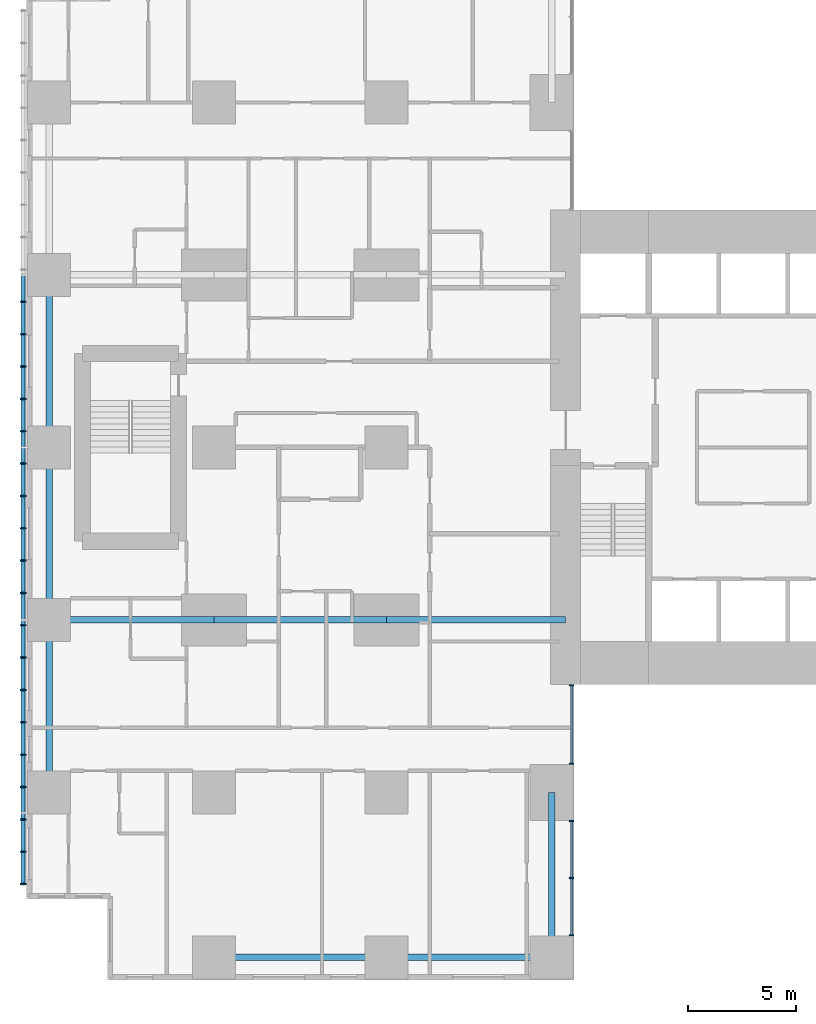
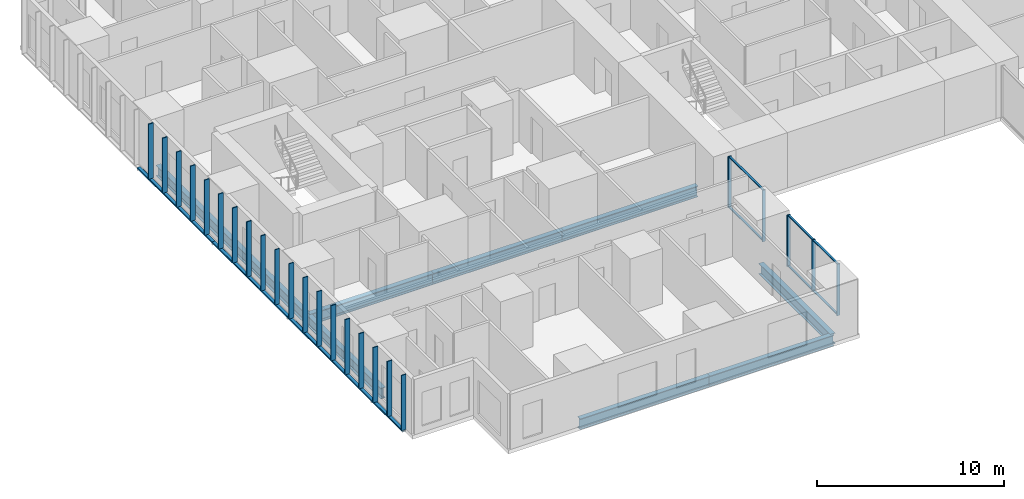
# One storey, part 2 of 20: 33 members, 9 beams, 2 elements without a shape of their own.
"""IFC4 building model written with IfcOpenShell, lengths in metres."""

from ifc_helpers import new_model, si_unit, direction, frame, origin, origin_2d, place, context, subcontext, project, spatial, rectangle, hollow_rectangle, i_section, extrude, material, layer, layer_set, material_profile, profile_set, type_object, element, aggregate, save


model = new_model("IFC4")

# Units and contexts
model_context = context("Model", 3, precision=1e-05, world=origin(), true_north=direction((0.0, 1.0)))
body_context = subcontext(model_context, "Body", "Model", "MODEL_VIEW")
ifc_project = project(units=[si_unit("LENGTHUNIT", "METRE"), si_unit("AREAUNIT", "SQUARE_METRE"), si_unit("VOLUMEUNIT", "CUBIC_METRE"), si_unit("PLANEANGLEUNIT", "RADIAN"), si_unit("MASSUNIT", "GRAM", prefix="KILO")], contexts=[model_context])

# Site, building, storey
site_placement = place(None, origin())
site = spatial("IfcSite", under=ifc_project, at=site_placement, CompositionType="ELEMENT")
building_placement = place(site_placement, origin())
building = spatial("IfcBuilding", under=site, at=building_placement, Name="Cleftline Residences", CompositionType="ELEMENT")
storey_placement = place(building_placement, frame((0.0, 0.0, 146.60009765625)))
storey = spatial("IfcBuildingStorey", under=building, at=storey_placement, Name="L38", CompositionType="ELEMENT", Elevation=146.60009765625)

# Members
ifc_material_1 = material(Name="Steel S355, hot-dip galvanised", Category="steel")
ifc_material_profile_1 = material_profile(ifc_material_1, hollow_rectangle(XDim=0.10009765625, YDim=0.199951171875, WallThickness=0.008056640625, InnerFilletRadius=0.008056640625, OuterFilletRadius=0.011962890625, at=origin_2d()))
ifc_profile_set_1 = profile_set([ifc_material_profile_1], Name="Steel S355, hot-dip galvanised")
member_type_1 = type_object("IfcMemberType", Name="BAGUETTE CARRIER RHS 200X100X8", PredefinedType="USERDEFINED", material=ifc_profile_set_1)
for number, where, z_axis, x_axis, name in (
    (1, (-0.85009765625, 32.0, -0.050048828125), (0.0, -1.0, 0.0), (0.0, 0.0, 1.0), "Baguette carrier"),
    (2, (-0.85009765625, 24.0, -0.050048828125), (0.0, -1.0, 0.0), (0.0, 0.0, 1.0), "Baguette carrier"),
):
    element("IfcMember", number, at=place(storey_placement, frame(where, z_axis=z_axis, x_axis=x_axis)), inside=storey, type_object=member_type_1, Name=name, ObjectType="BAGUETTE CARRIER", PredefinedType="USERDEFINED", context=body_context, shape_type="SweptSolid", body=[
        extrude(hollow_rectangle(XDim=0.10009765625, YDim=0.199951171875, WallThickness=0.008056640625, InnerFilletRadius=0.008056640625, OuterFilletRadius=0.011962890625, at=origin_2d()), origin(), (0.0, 0.0, 1.0), 8.0),
    ])
member_1_placement = place(storey_placement, frame((-0.85009765625, 16.0, -0.050048828125), z_axis=(0.0, -1.0, 0.0), x_axis=(0.0, 0.0, 1.0)))
element("IfcMember", 3, at=member_1_placement, inside=storey, type_object=member_type_1, Name="Baguette carrier", ObjectType="BAGUETTE CARRIER", PredefinedType="USERDEFINED", context=body_context, shape_type="SweptSolid", body=[
    extrude(hollow_rectangle(XDim=0.10009765625, YDim=0.199951171875, WallThickness=0.008056640625, InnerFilletRadius=0.008056640625, OuterFilletRadius=0.011962890625, at=origin_2d()), origin(), (0.0, 0.0, 1.0), 12.300048828125),
])

# Beams
ifc_material_2 = material(Name="Steel S355", Category="steel")
ifc_material_profile_2 = material_profile(ifc_material_2, i_section(OverallWidth=0.300048828125, OverallDepth=0.699951171875, WebThickness=0.01708984375, FlangeThickness=0.031982421875, FilletRadius=0.027099609375, at=origin_2d()))
ifc_profile_set_2 = profile_set([ifc_material_profile_2], Name="Steel S355")
beam_type_1 = type_object("IfcBeamType", Name="BEAM HEB 700", PredefinedType="BEAM", material=ifc_profile_set_2)
for number, where, z_axis, x_axis, name in (
    (4, (0.35009765625, 8.0, -0.60009765625), (0.0, 1.0, 0.0), (-1.0, 0.0, 0.0), "Edge beam"),
    (5, (0.35009765625, 16.0, -0.60009765625), (0.0, 1.0, 0.0), (-1.0, 0.0, 0.0), "Edge beam"),
    (6, (0.35009765625, 24.0, -0.60009765625), (0.0, 1.0, 0.0), (-1.0, 0.0, 0.0), "Edge beam"),
    (7, (8.0, 0.35009765625, -0.60009765625), (1.0, 0.0, 0.0), (0.0, 1.0, 0.0), "Edge beam"),
):
    element("IfcBeam", number, at=place(storey_placement, frame(where, z_axis=z_axis, x_axis=x_axis)), inside=storey, type_object=beam_type_1, Name=name, PredefinedType="BEAM", context=body_context, shape_type="SweptSolid", body=[
        extrude(i_section(OverallWidth=0.300048828125, OverallDepth=0.699951171875, WebThickness=0.01708984375, FlangeThickness=0.031982421875, FilletRadius=0.027099609375, at=origin_2d()), origin(), (0.0, 0.0, 1.0), 8.0),
    ])
for number, where, z_axis, x_axis, name in (
    (8, (16.0, 0.35009765625, -0.60009765625), (1.0, 0.0, 0.0), (0.0, 1.0, 0.0), "Edge beam"),
    (9, (23.64990234375, 0.35009765625, -0.60009765625), (0.0, 1.0, 0.0), (-1.0, 0.0, 0.0), "Edge beam"),
):
    element("IfcBeam", number, at=place(storey_placement, frame(where, z_axis=z_axis, x_axis=x_axis)), inside=storey, type_object=beam_type_1, Name=name, PredefinedType="BEAM", context=body_context, shape_type="SweptSolid", body=[
        extrude(i_section(OverallWidth=0.300048828125, OverallDepth=0.699951171875, WebThickness=0.01708984375, FlangeThickness=0.031982421875, FilletRadius=0.027099609375, at=origin_2d()), origin(), (0.0, 0.0, 1.0), 7.64990234375),
    ])
ifc_material_3 = material(Name="Steel S355", Category="steel")
ifc_material_profile_3 = material_profile(ifc_material_3, i_section(OverallWidth=0.303955078125, OverallDepth=0.716064453125, WebThickness=0.02099609375, FlangeThickness=0.0400390625, FilletRadius=0.027099609375, at=origin_2d()))
ifc_profile_set_3 = profile_set([ifc_material_profile_3], Name="Steel S355")
beam_type_2 = type_object("IfcBeamType", Name="BEAM HEM 700", PredefinedType="BEAM", material=ifc_profile_set_3)
beam_1_placement = place(storey_placement, frame((0.35009765625, 16.0, -0.608154296875), z_axis=(1.0, 0.0, 0.0), x_axis=(0.0, 1.0, 0.0)))
element("IfcBeam", 10, at=beam_1_placement, inside=storey, type_object=beam_type_2, Name="Band beam", PredefinedType="BEAM", context=body_context, shape_type="SweptSolid", body=[
    extrude(i_section(OverallWidth=0.303955078125, OverallDepth=0.716064453125, WebThickness=0.02099609375, FlangeThickness=0.0400390625, FilletRadius=0.027099609375, at=origin_2d()), origin(), (0.0, 0.0, 1.0), 7.64990234375),
])
beam_2_placement = place(storey_placement, frame((8.0, 16.0, -0.608154296875), z_axis=(1.0, 0.0, 0.0), x_axis=(0.0, 1.0, 0.0)))
element("IfcBeam", 11, at=beam_2_placement, inside=storey, type_object=beam_type_2, Name="Band beam", PredefinedType="BEAM", context=body_context, shape_type="SweptSolid", body=[
    extrude(i_section(OverallWidth=0.303955078125, OverallDepth=0.716064453125, WebThickness=0.02099609375, FlangeThickness=0.0400390625, FilletRadius=0.027099609375, at=origin_2d()), origin(), (0.0, 0.0, 1.0), 8.0),
])
beam_3_placement = place(storey_placement, frame((16.0, 16.0, -0.608154296875), z_axis=(1.0, 0.0, 0.0), x_axis=(0.0, 1.0, 0.0)))
element("IfcBeam", 12, at=beam_3_placement, inside=storey, type_object=beam_type_2, Name="Band beam", PredefinedType="BEAM", context=body_context, shape_type="SweptSolid", body=[
    extrude(i_section(OverallWidth=0.303955078125, OverallDepth=0.716064453125, WebThickness=0.02099609375, FlangeThickness=0.0400390625, FilletRadius=0.027099609375, at=origin_2d()), origin(), (0.0, 0.0, 1.0), 8.300048828125),
])

# Curtain wall, members
ifc_material_4 = material(Name="Aluminium framed curtain wall", Category="aluminium")
ifc_layer = layer(ifc_material_4, 0.199951171875)
ifc_layer_set = layer_set([ifc_layer], Name="CW1 CLEFT GLAZING")
curtain_wall_type = type_object("IfcCurtainWallType", Name="CW1 CLEFT GLAZING", PredefinedType="NOTDEFINED", material=ifc_layer_set)
curtain_wall_1_placement = place(storey_placement, origin())
curtain_wall_1 = element("IfcCurtainWall", 13, at=curtain_wall_1_placement, inside=storey, type_object=curtain_wall_type, Name="Curtain wall CW1", PredefinedType="NOTDEFINED")
ifc_material_5 = material(Name="Aluminium mullion", Category="aluminium")
ifc_material_profile_4 = material_profile(ifc_material_5, rectangle(XDim=0.199951171875, YDim=0.06005859375, at=origin_2d()))
ifc_profile_set_4 = profile_set([ifc_material_profile_4], Name="Aluminium mullion")
member_type_2 = type_object("IfcMemberType", Name="CW1 MULLION", PredefinedType="MULLION", material=ifc_profile_set_4)
member_2_placement = place(storey_placement, frame((24.574951171875, 1.3798828125, 0.0), z_axis=(0.0, 0.0, 1.0), x_axis=(-1.0, 0.0, 0.0)))
member_2 = element("IfcMember", 14, at=member_2_placement, type_object=member_type_2, Name="CW1 mullion 1", PredefinedType="MULLION", context=body_context, shape_type="SweptSolid", body=[
    extrude(rectangle(XDim=0.199951171875, YDim=0.06005859375, at=origin_2d()), origin(), (0.0, 0.0, 1.0), 3.349853515625),
])
member_3_placement = place(storey_placement, frame((24.574951171875, 4.02490234375, 0.0), z_axis=(0.0, 0.0, 1.0), x_axis=(-1.0, 0.0, 0.0)))
member_3 = element("IfcMember", 15, at=member_3_placement, type_object=member_type_2, Name="CW1 mullion 2", PredefinedType="MULLION", context=body_context, shape_type="SweptSolid", body=[
    extrude(rectangle(XDim=0.199951171875, YDim=0.06005859375, at=origin_2d()), origin(), (0.0, 0.0, 1.0), 3.349853515625),
])
member_4_placement = place(storey_placement, frame((24.574951171875, 6.669921875, 0.0), z_axis=(0.0, 0.0, 1.0), x_axis=(-1.0, 0.0, 0.0)))
member_4 = element("IfcMember", 16, at=member_4_placement, type_object=member_type_2, Name="CW1 mullion 3", PredefinedType="MULLION", context=body_context, shape_type="SweptSolid", body=[
    extrude(rectangle(XDim=0.199951171875, YDim=0.06005859375, at=origin_2d()), origin(), (0.0, 0.0, 1.0), 3.349853515625),
])

curtain_wall_2_placement = place(storey_placement, origin())
curtain_wall_2 = element("IfcCurtainWall", 17, at=curtain_wall_2_placement, inside=storey, type_object=curtain_wall_type, Name="Curtain wall CW1", PredefinedType="NOTDEFINED")
member_5_placement = place(storey_placement, frame((24.574951171875, 9.330078125, 0.0), z_axis=(0.0, 0.0, 1.0), x_axis=(-1.0, 0.0, 0.0)))
member_5 = element("IfcMember", 18, at=member_5_placement, type_object=member_type_2, Name="CW1 mullion 1", PredefinedType="MULLION", context=body_context, shape_type="SweptSolid", body=[
    extrude(rectangle(XDim=0.199951171875, YDim=0.06005859375, at=origin_2d()), origin(), (0.0, 0.0, 1.0), 3.349853515625),
])
member_6_placement = place(storey_placement, frame((24.574951171875, 12.969970703125, 0.0), z_axis=(0.0, 0.0, 1.0), x_axis=(-1.0, 0.0, 0.0)))
member_6 = element("IfcMember", 19, at=member_6_placement, type_object=member_type_2, Name="CW1 mullion 2", PredefinedType="MULLION", context=body_context, shape_type="SweptSolid", body=[
    extrude(rectangle(XDim=0.199951171875, YDim=0.06005859375, at=origin_2d()), origin(), (0.0, 0.0, 1.0), 3.349853515625),
])

# Member
ifc_material_6 = material(Name="Aluminium transom", Category="aluminium")
ifc_material_profile_5 = material_profile(ifc_material_6, rectangle(XDim=0.1201171875, YDim=0.06005859375, at=origin_2d()))
ifc_profile_set_5 = profile_set([ifc_material_profile_5], Name="Aluminium transom")
member_type_3 = type_object("IfcMemberType", Name="CW1 TRANSOM", PredefinedType="USERDEFINED", material=ifc_profile_set_5)
member_7_placement = place(storey_placement, frame((24.574951171875, 1.409912109375, 0.02978515625), z_axis=(0.0, 1.0, 0.0), x_axis=(-1.0, 0.0, 0.0)))
member_7 = element("IfcMember", 20, at=member_7_placement, type_object=member_type_3, Name="CW1 transom 1.1", ObjectType="TRANSOM", PredefinedType="USERDEFINED", context=body_context, shape_type="SweptSolid", body=[
    extrude(rectangle(XDim=0.1201171875, YDim=0.06005859375, at=origin_2d()), origin(), (0.0, 0.0, 1.0), 2.585205078125),
])

member_8_placement = place(storey_placement, frame((24.574951171875, 1.409912109375, 3.31982421875), z_axis=(0.0, 1.0, 0.0), x_axis=(-1.0, 0.0, 0.0)))
member_8 = element("IfcMember", 21, at=member_8_placement, type_object=member_type_3, Name="CW1 transom 1.2", ObjectType="TRANSOM", PredefinedType="USERDEFINED", context=body_context, shape_type="SweptSolid", body=[
    extrude(rectangle(XDim=0.1201171875, YDim=0.06005859375, at=origin_2d()), origin(), (0.0, 0.0, 1.0), 2.585205078125),
])

member_9_placement = place(storey_placement, frame((24.574951171875, 4.054931640625, 0.02978515625), z_axis=(0.0, 1.0, 0.0), x_axis=(-1.0, 0.0, 0.0)))
member_9 = element("IfcMember", 22, at=member_9_placement, type_object=member_type_3, Name="CW1 transom 2.1", ObjectType="TRANSOM", PredefinedType="USERDEFINED", context=body_context, shape_type="SweptSolid", body=[
    extrude(rectangle(XDim=0.1201171875, YDim=0.06005859375, at=origin_2d()), origin(), (0.0, 0.0, 1.0), 2.5849609375),
])

member_10_placement = place(storey_placement, frame((24.574951171875, 4.054931640625, 3.31982421875), z_axis=(0.0, 1.0, 0.0), x_axis=(-1.0, 0.0, 0.0)))
member_10 = element("IfcMember", 23, at=member_10_placement, type_object=member_type_3, Name="CW1 transom 2.2", ObjectType="TRANSOM", PredefinedType="USERDEFINED", context=body_context, shape_type="SweptSolid", body=[
    extrude(rectangle(XDim=0.1201171875, YDim=0.06005859375, at=origin_2d()), origin(), (0.0, 0.0, 1.0), 2.5849609375),
])

aggregate(curtain_wall_1, [member_2, member_3, member_4, member_7, member_8, member_9, member_10])

member_11_placement = place(storey_placement, frame((24.574951171875, 9.360107421875, 0.02978515625), z_axis=(0.0, 1.0, 0.0), x_axis=(-1.0, 0.0, 0.0)))
member_11 = element("IfcMember", 24, at=member_11_placement, type_object=member_type_3, Name="CW1 transom 1.1", ObjectType="TRANSOM", PredefinedType="USERDEFINED", context=body_context, shape_type="SweptSolid", body=[
    extrude(rectangle(XDim=0.1201171875, YDim=0.06005859375, at=origin_2d()), origin(), (0.0, 0.0, 1.0), 3.579833984375),
])

member_12_placement = place(storey_placement, frame((24.574951171875, 9.360107421875, 3.31982421875), z_axis=(0.0, 1.0, 0.0), x_axis=(-1.0, 0.0, 0.0)))
member_12 = element("IfcMember", 25, at=member_12_placement, type_object=member_type_3, Name="CW1 transom 1.2", ObjectType="TRANSOM", PredefinedType="USERDEFINED", context=body_context, shape_type="SweptSolid", body=[
    extrude(rectangle(XDim=0.1201171875, YDim=0.06005859375, at=origin_2d()), origin(), (0.0, 0.0, 1.0), 3.579833984375),
])

aggregate(curtain_wall_2, [member_5, member_6, member_11, member_12])

# Members
ifc_material_7 = material(Name="Extruded terracotta", Category="masonry")
ifc_material_profile_6 = material_profile(ifc_material_7, rectangle(XDim=0.06005859375, YDim=0.300048828125, at=origin_2d()))
ifc_profile_set_6 = profile_set([ifc_material_profile_6], Name="Extruded terracotta")
member_type_4 = type_object("IfcMemberType", Name="TERRACOTTA BAGUETTE 60X300", PredefinedType="USERDEFINED", material=ifc_profile_set_6)
for number, where, z_axis, x_axis, name in (
    (26, (-0.85009765625, 30.75, 0.0), (0.0, 0.0, 1.0), (0.0, 1.0, 0.0), "Terracotta baguette"),
    (27, (-0.85009765625, 29.25, 0.0), (0.0, 0.0, 1.0), (0.0, 1.0, 0.0), "Terracotta baguette"),
    (28, (-0.85009765625, 27.75, 0.0), (0.0, 0.0, 1.0), (0.0, 1.0, 0.0), "Terracotta baguette"),
    (29, (-0.85009765625, 26.25, 0.0), (0.0, 0.0, 1.0), (0.0, 1.0, 0.0), "Terracotta baguette"),
    (30, (-0.85009765625, 24.75, 0.0), (0.0, 0.0, 1.0), (0.0, 1.0, 0.0), "Terracotta baguette"),
    (31, (-0.85009765625, 23.25, 0.0), (0.0, 0.0, 1.0), (0.0, 1.0, 0.0), "Terracotta baguette"),
    (32, (-0.85009765625, 21.75, 0.0), (0.0, 0.0, 1.0), (0.0, 1.0, 0.0), "Terracotta baguette"),
    (33, (-0.85009765625, 20.25, 0.0), (0.0, 0.0, 1.0), (0.0, 1.0, 0.0), "Terracotta baguette"),
    (34, (-0.85009765625, 18.75, 0.0), (0.0, 0.0, 1.0), (0.0, 1.0, 0.0), "Terracotta baguette"),
    (35, (-0.85009765625, 17.25, 0.0), (0.0, 0.0, 1.0), (0.0, 1.0, 0.0), "Terracotta baguette"),
    (36, (-0.85009765625, 15.75, 0.0), (0.0, 0.0, 1.0), (0.0, 1.0, 0.0), "Terracotta baguette"),
    (37, (-0.85009765625, 14.25, 0.0), (0.0, 0.0, 1.0), (0.0, 1.0, 0.0), "Terracotta baguette"),
    (38, (-0.85009765625, 12.75, 0.0), (0.0, 0.0, 1.0), (0.0, 1.0, 0.0), "Terracotta baguette"),
    (39, (-0.85009765625, 11.25, 0.0), (0.0, 0.0, 1.0), (0.0, 1.0, 0.0), "Terracotta baguette"),
    (40, (-0.85009765625, 9.75, 0.0), (0.0, 0.0, 1.0), (0.0, 1.0, 0.0), "Terracotta baguette"),
    (41, (-0.85009765625, 8.25, 0.0), (0.0, 0.0, 1.0), (0.0, 1.0, 0.0), "Terracotta baguette"),
    (42, (-0.85009765625, 6.75, 0.0), (0.0, 0.0, 1.0), (0.0, 1.0, 0.0), "Terracotta baguette"),
    (43, (-0.85009765625, 5.25, 0.0), (0.0, 0.0, 1.0), (0.0, 1.0, 0.0), "Terracotta baguette"),
    (44, (-0.85009765625, 3.75, 0.0), (0.0, 0.0, 1.0), (0.0, 1.0, 0.0), "Terracotta baguette"),
):
    element("IfcMember", number, at=place(storey_placement, frame(where, z_axis=z_axis, x_axis=x_axis)), inside=storey, type_object=member_type_4, Name=name, ObjectType="BAGUETTE", PredefinedType="USERDEFINED", context=body_context, shape_type="SweptSolid", body=[
        extrude(rectangle(XDim=0.06005859375, YDim=0.300048828125, at=origin_2d()), origin(), (0.0, 0.0, 1.0), 3.599853515625),
    ])

save(model, "model.ifc")
